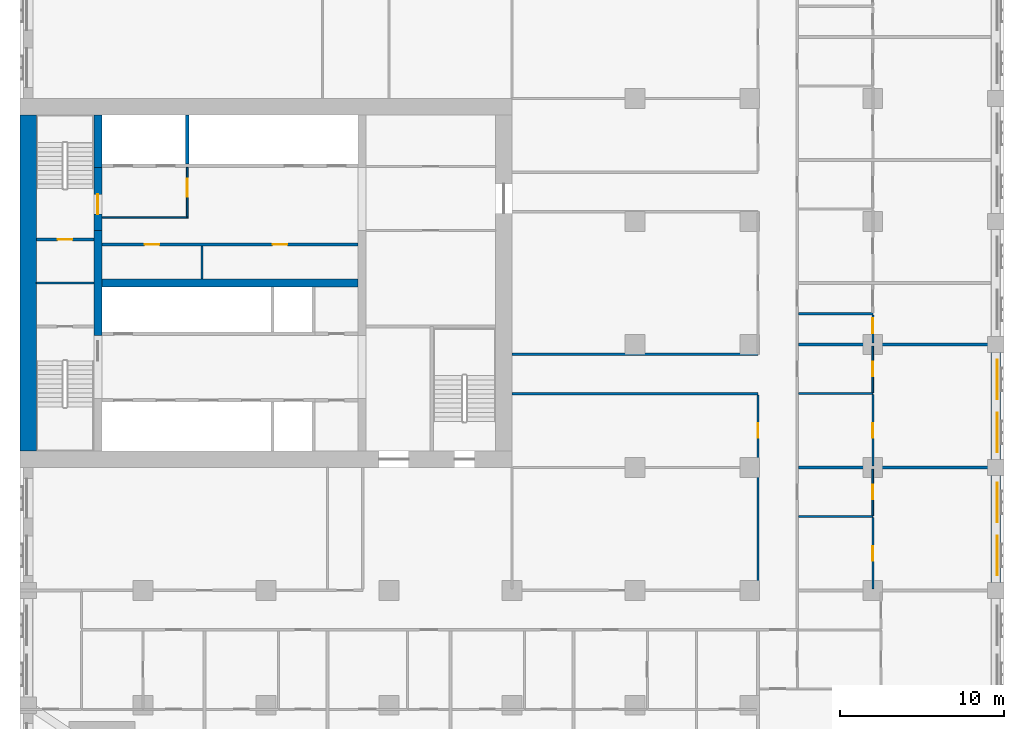
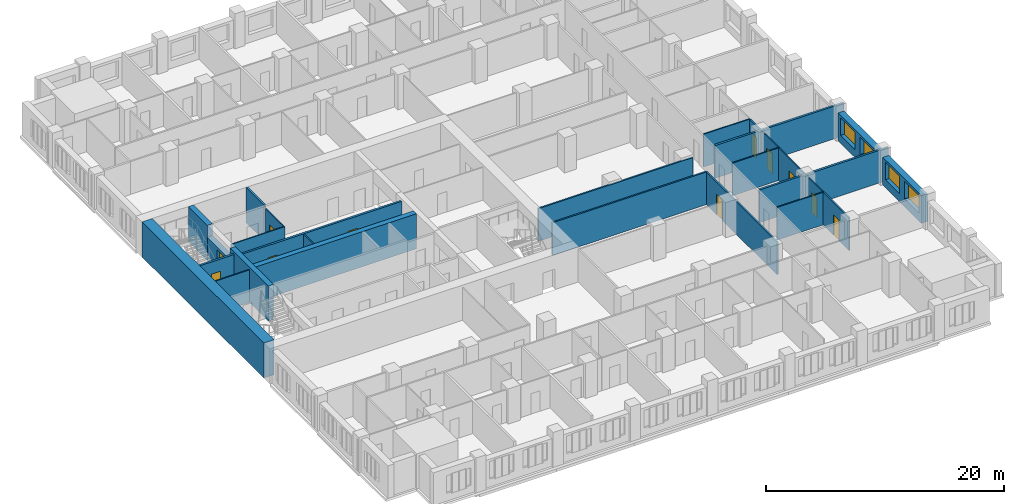
# One storey, part 7 of 14: 27 walls, 11 doors, 4 windows, 15 openings.
"""IFC4 building model written with IfcOpenShell, lengths in metres."""

from ifc_helpers import new_model, si_unit, direction, frame, frame_2d, origin, place, context, subcontext, project, spatial, rectangle, extrude, material, layer, layer_set, type_object, element, fill, save


model = new_model("IFC4")

# Units and contexts
model_context = context("Model", 3, precision=1e-05, world=origin(), true_north=direction((0.0, 1.0)))
body_context = subcontext(model_context, "Body", "Model", "MODEL_VIEW")
ifc_project = project(units=[si_unit("LENGTHUNIT", "METRE"), si_unit("AREAUNIT", "SQUARE_METRE"), si_unit("VOLUMEUNIT", "CUBIC_METRE"), si_unit("PLANEANGLEUNIT", "RADIAN"), si_unit("MASSUNIT", "GRAM", prefix="KILO")], contexts=[model_context])

# Site, building, storey
site_placement = place(None, origin())
site = spatial("IfcSite", under=ifc_project, at=site_placement, CompositionType="ELEMENT")
building_placement = place(site_placement, origin())
building = spatial("IfcBuilding", under=site, at=building_placement, Name="Tamorin Gate", CompositionType="ELEMENT")
storey_placement = place(building_placement, frame((0.0, 0.0, 52.0)))
storey = spatial("IfcBuildingStorey", under=building, at=storey_placement, Name="L11", CompositionType="ELEMENT", Elevation=52.0)

# Wall, openings, windows
ifc_material_1 = material(Name="Precast concrete C40/50", Category="concrete")
ifc_layer_1 = layer(ifc_material_1, 0.60009765625)
ifc_layer_set_1 = layer_set([ifc_layer_1], Name="Precast concrete C40/50")
wall_type_1 = type_object("IfcWallType", Name="Board-marked concrete facade panel 600", PredefinedType="SOLIDWALL", material=ifc_layer_set_1)
wall_1_placement = place(storey_placement, frame((89.5, 53.0, 0.0), z_axis=(0.0, 0.0, 1.0), x_axis=(0.0, 1.0, 0.0)))
wall_1 = element("IfcWall", 1, at=wall_1_placement, inside=storey, type_object=wall_type_1, Name="Facade panel", PredefinedType="SOLIDWALL", context=body_context, shape_type="SweptSolid", body=[
    extrude(rectangle(XDim=6.5, YDim=0.60009765625, at=frame_2d((3.25, 0.0))), origin(), (0.0, 0.0, 1.0), 2.85009765625),
])
opening_1_placement = place(wall_1_placement, frame((0.425048828125, 0.0, 0.800048828125)))
opening_1 = element("IfcOpeningElement", 2, at=opening_1_placement, cuts=wall_1, Name="Opening WN1", PredefinedType="OPENING", context=body_context, shape_type="SweptSolid", body=[
    extrude(rectangle(XDim=2.39990234375, YDim=1.800048828125, at=frame_2d((1.199951171875, 0.89990234375))), frame((0.0, 0.31005859375, 0.0), z_axis=(0.0, -1.0, 0.0), x_axis=(1.0, 0.0, 0.0)), (0.0, 0.0, 1.0), 0.6201171875),
])
opening_2_placement = place(wall_1_placement, frame((3.675048828125, 0.0, 0.800048828125)))
opening_2 = element("IfcOpeningElement", 3, at=opening_2_placement, cuts=wall_1, Name="Opening WN1", PredefinedType="OPENING", context=body_context, shape_type="SweptSolid", body=[
    extrude(rectangle(XDim=2.39990234375, YDim=1.800048828125, at=frame_2d((1.199951171875, 0.89990234375))), frame((0.0, 0.31005859375, 0.0), z_axis=(0.0, -1.0, 0.0), x_axis=(1.0, 0.0, 0.0)), (0.0, 0.0, 1.0), 0.6201171875),
])
ifc_material_2 = material(Name="Clear glass in aluminium frame", Category="aluminium")
window_type = type_object("IfcWindowType", Name="Deep-set window 2400x1800", PartitioningType="SINGLE_PANEL", PredefinedType="WINDOW", material=ifc_material_2)
window_1_placement = place(opening_1_placement, origin())
window_1 = element("IfcWindow", 4, at=window_1_placement, inside=storey, type_object=window_type, Name="Deep-set window", OverallHeight=1.800048828125, OverallWidth=2.39990234375, PartitioningType="SINGLE_PANEL", PredefinedType="WINDOW", context=body_context, shape_type="SweptSolid", body=[
    extrude(rectangle(XDim=2.39990234375, YDim=1.800048828125, at=frame_2d((1.199951171875, 0.89990234375))), frame((0.0, -0.070068359375, 0.0), z_axis=(0.0, -1.0, 0.0), x_axis=(1.0, 0.0, 0.0)), (0.0, 0.0, 1.0), 0.06005859375),
])
fill(opening_1, window_1)
window_2_placement = place(opening_2_placement, origin())
window_2 = element("IfcWindow", 5, at=window_2_placement, inside=storey, type_object=window_type, Name="Deep-set window", OverallHeight=1.800048828125, OverallWidth=2.39990234375, PartitioningType="SINGLE_PANEL", PredefinedType="WINDOW", context=body_context, shape_type="SweptSolid", body=[
    extrude(rectangle(XDim=2.39990234375, YDim=1.800048828125, at=frame_2d((1.199951171875, 0.89990234375))), frame((0.0, -0.070068359375, 0.0), z_axis=(0.0, -1.0, 0.0), x_axis=(1.0, 0.0, 0.0)), (0.0, 0.0, 1.0), 0.06005859375),
])
fill(opening_2, window_2)

wall_2_placement = place(storey_placement, frame((89.5, 60.5, 0.0), z_axis=(0.0, 0.0, 1.0), x_axis=(0.0, 1.0, 0.0)))
wall_2 = element("IfcWall", 6, at=wall_2_placement, inside=storey, type_object=wall_type_1, Name="Facade panel", PredefinedType="SOLIDWALL", context=body_context, shape_type="SweptSolid", body=[
    extrude(rectangle(XDim=6.5, YDim=0.60009765625, at=frame_2d((3.25, 0.0))), origin(), (0.0, 0.0, 1.0), 2.85009765625),
])
opening_3_placement = place(wall_2_placement, frame((0.425048828125, 0.0, 0.800048828125)))
opening_3 = element("IfcOpeningElement", 7, at=opening_3_placement, cuts=wall_2, Name="Opening WN1", PredefinedType="OPENING", context=body_context, shape_type="SweptSolid", body=[
    extrude(rectangle(XDim=2.39990234375, YDim=1.800048828125, at=frame_2d((1.199951171875, 0.89990234375))), frame((0.0, 0.31005859375, 0.0), z_axis=(0.0, -1.0, 0.0), x_axis=(1.0, 0.0, 0.0)), (0.0, 0.0, 1.0), 0.6201171875),
])
opening_4_placement = place(wall_2_placement, frame((3.675048828125, 0.0, 0.800048828125)))
opening_4 = element("IfcOpeningElement", 8, at=opening_4_placement, cuts=wall_2, Name="Opening WN1", PredefinedType="OPENING", context=body_context, shape_type="SweptSolid", body=[
    extrude(rectangle(XDim=2.39990234375, YDim=1.800048828125, at=frame_2d((1.199951171875, 0.89990234375))), frame((0.0, 0.31005859375, 0.0), z_axis=(0.0, -1.0, 0.0), x_axis=(1.0, 0.0, 0.0)), (0.0, 0.0, 1.0), 0.6201171875),
])
window_3_placement = place(opening_3_placement, origin())
window_3 = element("IfcWindow", 9, at=window_3_placement, inside=storey, type_object=window_type, Name="Deep-set window", OverallHeight=1.800048828125, OverallWidth=2.39990234375, PartitioningType="SINGLE_PANEL", PredefinedType="WINDOW", context=body_context, shape_type="SweptSolid", body=[
    extrude(rectangle(XDim=2.39990234375, YDim=1.800048828125, at=frame_2d((1.199951171875, 0.89990234375))), frame((0.0, -0.070068359375, 0.0), z_axis=(0.0, -1.0, 0.0), x_axis=(1.0, 0.0, 0.0)), (0.0, 0.0, 1.0), 0.06005859375),
])
fill(opening_3, window_3)
window_4_placement = place(opening_4_placement, origin())
window_4 = element("IfcWindow", 10, at=window_4_placement, inside=storey, type_object=window_type, Name="Deep-set window", OverallHeight=1.800048828125, OverallWidth=2.39990234375, PartitioningType="SINGLE_PANEL", PredefinedType="WINDOW", context=body_context, shape_type="SweptSolid", body=[
    extrude(rectangle(XDim=2.39990234375, YDim=1.800048828125, at=frame_2d((1.199951171875, 0.89990234375))), frame((0.0, -0.070068359375, 0.0), z_axis=(0.0, -1.0, 0.0), x_axis=(1.0, 0.0, 0.0)), (0.0, 0.0, 1.0), 0.06005859375),
])
fill(opening_4, window_4)

# Wall, opening, door
ifc_material_3 = material(Name="Gypsum board partition")
ifc_layer_2 = layer(ifc_material_3, 0.14990234375)
ifc_layer_set_2 = layer_set([ifc_layer_2], Name="Corridor wall 150")
wall_type_2 = type_object("IfcWallType", Name="Corridor wall 150", PredefinedType="PARTITIONING", material=ifc_layer_set_2)
wall_3_placement = place(storey_placement, frame((75.0, 52.574951171875, 0.0), z_axis=(0.0, 0.0, 1.0), x_axis=(0.0, 1.0, 0.0)))
wall_3 = element("IfcWall", 11, at=wall_3_placement, inside=storey, type_object=wall_type_2, Name="Corridor wall 150", PredefinedType="PARTITIONING", context=body_context, shape_type="SweptSolid", body=[
    extrude(rectangle(XDim=11.85009765625, YDim=0.14990234375, at=frame_2d((5.925048828125, 0.0))), origin(), (0.0, 0.0, 1.0), 3.35009765625),
])
opening_5_placement = place(wall_3_placement, frame((9.22509765625, 0.0, 0.0)))
opening_5 = element("IfcOpeningElement", 12, at=opening_5_placement, cuts=wall_3, Name="Opening DH2074", PredefinedType="OPENING", context=body_context, shape_type="SweptSolid", body=[
    extrude(rectangle(XDim=0.89990234375, YDim=2.10009765625, at=frame_2d((0.449951171875, 1.050048828125))), frame((0.0, 0.0849609375, 0.0), z_axis=(0.0, -1.0, 0.0), x_axis=(1.0, 0.0, 0.0)), (0.0, 0.0, 1.0), 0.169921875),
])
ifc_material_4 = material(Name="Timber door leaf", Category="wood")
door_type_1 = type_object("IfcDoorType", Name="Door 900 x 2100 FD30S", OperationType="NOTDEFINED", PredefinedType="DOOR", material=ifc_material_4)
door_1_placement = place(opening_5_placement, origin())
door_1 = element("IfcDoor", 13, at=door_1_placement, inside=storey, type_object=door_type_1, Name="Door DH2074", OperationType="SINGLE_SWING_LEFT", OverallHeight=2.10009765625, OverallWidth=0.89990234375, PredefinedType="DOOR", context=body_context, shape_type="SweptSolid", body=[
    extrude(rectangle(XDim=0.89990234375, YDim=2.10009765625, at=frame_2d((0.449951171875, 1.050048828125))), frame((0.0, 0.02490234375, 0.0), z_axis=(0.0, -1.0, 0.0), x_axis=(1.0, 0.0, 0.0)), (0.0, 0.0, 1.0), 0.050048828125),
])
fill(opening_5, door_1)

# Walls
ifc_layer_3 = layer(ifc_material_3, 0.199951171875)
ifc_layer_set_3 = layer_set([ifc_layer_3], Name="Demising wall 200")
wall_type_3 = type_object("IfcWallType", Name="Demising wall 200", PredefinedType="PARTITIONING", material=ifc_layer_set_3)
for number, where, z_axis, x_axis, name in (
    (14, (77.47509765625, 60.0, 0.0), (0.0, 0.0, 1.0), (1.0, 0.0, 0.0), "Demising wall 200"),
    (15, (77.47509765625, 67.5, 0.0), (0.0, 0.0, 1.0), (1.0, 0.0, 0.0), "Demising wall 200"),
):
    element("IfcWall", number, at=place(storey_placement, frame(where, z_axis=z_axis, x_axis=x_axis)), inside=storey, type_object=wall_type_3, Name=name, PredefinedType="PARTITIONING", context=body_context, shape_type="SweptSolid", body=[
        extrude(rectangle(XDim=12.52490234375, YDim=0.199951171875, at=frame_2d((6.262451171875, 0.0))), origin(), (0.0, 0.0, 1.0), 3.35009765625),
    ])
ifc_material_5 = material(Name="Concrete C32/40", Category="concrete")
ifc_layer_4 = layer(ifc_material_5, 0.199951171875)
ifc_layer_set_4 = layer_set([ifc_layer_4], Name="Lift shaft wall 200 EI 120")
wall_type_4 = type_object("IfcWallType", Name="Lift shaft wall 200 EI 120", PredefinedType="SOLIDWALL", material=ifc_layer_set_4)
wall_4_placement = place(storey_placement, frame((40.199951171875, 78.5, 0.0), z_axis=(0.0, 0.0, 1.0), x_axis=(0.0, 1.0, 0.0)))
element("IfcWall", 16, at=wall_4_placement, inside=storey, type_object=wall_type_4, Name="Lift shaft wall", PredefinedType="SOLIDWALL", context=body_context, shape_type="SweptSolid", body=[
    extrude(rectangle(XDim=3.0, YDim=0.199951171875, at=frame_2d((1.5, 0.0))), origin(), (0.0, 0.0, 1.0), 3.60009765625),
])
ifc_material_6 = material(Name="Fire-rated gypsum board partition")
ifc_layer_5 = layer(ifc_material_6, 0.10009765625)
ifc_layer_set_5 = layer_set([ifc_layer_5], Name="Lobby wall 100 EI 60")
wall_type_5 = type_object("IfcWallType", Name="Lobby wall 100 EI 60", PredefinedType="PARTITIONING", material=ifc_layer_set_5)
wall_5_placement = place(storey_placement, frame((35.0, 75.25, 0.0), z_axis=(0.0, 0.0, 1.0), x_axis=(1.0, 0.0, 0.0)))
element("IfcWall", 17, at=wall_5_placement, inside=storey, type_object=wall_type_5, Name="Firefighting lobby wall", PredefinedType="PARTITIONING", context=body_context, shape_type="SweptSolid", body=[
    extrude(rectangle(XDim=5.25, YDim=0.10009765625, at=frame_2d((2.625, 0.0))), origin(), (0.0, 0.0, 1.0), 3.35009765625),
])

# Wall, opening, door
wall_6_placement = place(storey_placement, frame((40.199951171875, 75.300048828125, 0.0), z_axis=(0.0, 0.0, 1.0), x_axis=(0.0, 1.0, 0.0)))
wall_6 = element("IfcWall", 18, at=wall_6_placement, inside=storey, type_object=wall_type_5, Name="Firefighting lobby wall", PredefinedType="PARTITIONING", context=body_context, shape_type="SweptSolid", body=[
    extrude(rectangle(XDim=3.0, YDim=0.10009765625, at=frame_2d((1.5, 0.0))), origin(), (0.0, 0.0, 1.0), 3.35009765625),
])
opening_6_placement = place(wall_6_placement, frame((1.199951171875, 0.0, 0.0)))
opening_6 = element("IfcOpeningElement", 19, at=opening_6_placement, cuts=wall_6, Name="Opening DF1", PredefinedType="OPENING", context=body_context, shape_type="SweptSolid", body=[
    extrude(rectangle(XDim=1.10009765625, YDim=2.10009765625, at=frame_2d((0.550048828125, 1.050048828125))), frame((0.0, 0.06005859375, 0.0), z_axis=(0.0, -1.0, 0.0), x_axis=(1.0, 0.0, 0.0)), (0.0, 0.0, 1.0), 0.1201171875),
])
ifc_material_7 = material(Name="Steel fire door", Category="steel")
door_type_2 = type_object("IfcDoorType", Name="Firefighting lobby door 1100 x 2100 EI 90", OperationType="SINGLE_SWING_LEFT", PredefinedType="DOOR", material=ifc_material_7)
door_2_placement = place(opening_6_placement, origin())
door_2 = element("IfcDoor", 20, at=door_2_placement, inside=storey, type_object=door_type_2, Name="Firefighting lobby door", OperationType="SINGLE_SWING_LEFT", OverallHeight=2.10009765625, OverallWidth=1.10009765625, PredefinedType="DOOR", context=body_context, shape_type="SweptSolid", body=[
    extrude(rectangle(XDim=1.10009765625, YDim=2.10009765625, at=frame_2d((0.550048828125, 1.050048828125))), frame((0.0, 0.02490234375, 0.0), z_axis=(0.0, -1.0, 0.0), x_axis=(1.0, 0.0, 0.0)), (0.0, 0.0, 1.0), 0.050048828125),
])
fill(opening_6, door_2)

# Walls
ifc_layer_6 = layer(ifc_material_3, 0.14990234375)
ifc_layer_set_6 = layer_set([ifc_layer_6], Name="Lobby wall 150")
wall_type_6 = type_object("IfcWallType", Name="Lobby wall 150", PredefinedType="PARTITIONING", material=ifc_layer_set_6)
for number, where, z_axis, x_axis, name in (
    (21, (60.0, 64.5, 0.0), (0.0, 0.0, 1.0), (1.0, 0.0, 0.0), "Lobby wall 150"),
    (22, (60.0, 66.89990234375, 0.0), (0.0, 0.0, 1.0), (1.0, 0.0, 0.0), "Lobby wall 150"),
):
    element("IfcWall", number, at=place(storey_placement, frame(where, z_axis=z_axis, x_axis=x_axis)), inside=storey, type_object=wall_type_6, Name=name, PredefinedType="PARTITIONING", context=body_context, shape_type="SweptSolid", body=[
        extrude(rectangle(XDim=15.0, YDim=0.14990234375, at=frame_2d((7.5, 0.0))), origin(), (0.0, 0.0, 1.0), 3.35009765625),
    ])
ifc_material_8 = material(Name="Concrete C80/95", Category="concrete")
ifc_layer_7 = layer(ifc_material_8, 0.5)
ifc_layer_set_7 = layer_set([ifc_layer_7], Name="RC core internal wall 500 C80/95")
wall_type_7 = type_object("IfcWallType", Name="RC core internal wall 500 C80/95", PredefinedType="SHEAR", material=ifc_layer_set_7)
wall_7_placement = place(storey_placement, frame((35.0, 71.25, 0.0), z_axis=(0.0, 0.0, 1.0), x_axis=(1.0, 0.0, 0.0)))
element("IfcWall", 23, at=wall_7_placement, inside=storey, type_object=wall_type_7, Name="Core spine wall L11", PredefinedType="SHEAR", context=body_context, shape_type="SweptSolid", body=[
    extrude(rectangle(XDim=15.60009765625, YDim=0.5, at=frame_2d((7.800048828125, 0.0))), origin(), (0.0, 0.0, 1.0), 3.60009765625),
])
wall_8_placement = place(storey_placement, frame((34.75, 68.050048828125, 0.0), z_axis=(0.0, 0.0, 1.0), x_axis=(0.0, 1.0, 0.0)))
element("IfcWall", 24, at=wall_8_placement, inside=storey, type_object=wall_type_7, Name="Core cross wall L11", PredefinedType="SHEAR", context=body_context, shape_type="SweptSolid", body=[
    extrude(rectangle(XDim=6.39990234375, YDim=0.5, at=frame_2d((3.199951171875, 0.0))), origin(), (0.0, 0.0, 1.0), 3.60009765625),
])
wall_9_placement = place(storey_placement, frame((34.75, 78.300048828125, 0.0), z_axis=(0.0, 0.0, 1.0), x_axis=(0.0, 1.0, 0.0)))
element("IfcWall", 25, at=wall_9_placement, inside=storey, type_object=wall_type_7, Name="Core cross wall L11", PredefinedType="SHEAR", context=body_context, shape_type="SweptSolid", body=[
    extrude(rectangle(XDim=3.199951171875, YDim=0.5, at=frame_2d((1.60009765625, 0.0))), origin(), (0.0, 0.0, 1.0), 3.60009765625),
])
ifc_layer_8 = layer(ifc_material_8, 1.0)
ifc_layer_set_8 = layer_set([ifc_layer_8], Name="RC core wall 1000 C80/95")
wall_type_8 = type_object("IfcWallType", Name="RC core wall 1000 C80/95", PredefinedType="SHEAR", material=ifc_layer_set_8)
wall_10_placement = place(storey_placement, frame((30.5, 61.0, 0.0), z_axis=(0.0, 0.0, 1.0), x_axis=(0.0, 1.0, 0.0)))
element("IfcWall", 26, at=wall_10_placement, inside=storey, type_object=wall_type_8, Name="Core wall L11", PredefinedType="SHEAR", context=body_context, shape_type="SweptSolid", body=[
    extrude(rectangle(XDim=20.5, YDim=1.0, at=frame_2d((10.25, 0.0))), origin(), (0.0, 0.0, 1.0), 3.60009765625),
])
ifc_layer_9 = layer(ifc_material_6, 0.10009765625)
ifc_layer_set_9 = layer_set([ifc_layer_9], Name="Riser partition 100 EI 120")
wall_type_9 = type_object("IfcWallType", Name="Riser partition 100 EI 120", PredefinedType="PARTITIONING", material=ifc_layer_set_9)
wall_11_placement = place(storey_placement, frame((31.0, 71.25, 0.0), z_axis=(0.0, 0.0, 1.0), x_axis=(1.0, 0.0, 0.0)))
element("IfcWall", 27, at=wall_11_placement, inside=storey, type_object=wall_type_9, Name="Riser partition", PredefinedType="PARTITIONING", context=body_context, shape_type="SweptSolid", body=[
    extrude(rectangle(XDim=3.5, YDim=0.10009765625, at=frame_2d((1.75, 0.0))), origin(), (0.0, 0.0, 1.0), 3.35009765625),
])

# Wall, opening, door
ifc_layer_10 = layer(ifc_material_3, 0.10009765625)
ifc_layer_set_10 = layer_set([ifc_layer_10], Name="Room partition 100")
wall_type_10 = type_object("IfcWallType", Name="Room partition 100", PredefinedType="PARTITIONING", material=ifc_layer_set_10)
wall_12_placement = place(storey_placement, frame((82.0, 57.0625, 0.0), z_axis=(0.0, 0.0, 1.0), x_axis=(0.0, 1.0, 0.0)))
wall_12 = element("IfcWall", 28, at=wall_12_placement, inside=storey, type_object=wall_type_10, Name="Room partition 100", PredefinedType="PARTITIONING", context=body_context, shape_type="SweptSolid", body=[
    extrude(rectangle(XDim=2.83740234375, YDim=0.10009765625, at=frame_2d((1.418701171875, 0.0))), origin(), (0.0, 0.0, 1.0), 3.35009765625),
])
opening_7_placement = place(wall_12_placement, frame((0.987548828125, 0.0, 0.0)))
opening_7 = element("IfcOpeningElement", 29, at=opening_7_placement, cuts=wall_12, Name="Opening DH2039", PredefinedType="OPENING", context=body_context, shape_type="SweptSolid", body=[
    extrude(rectangle(XDim=0.89990234375, YDim=2.10009765625, at=frame_2d((0.449951171875, 1.050048828125))), frame((0.0, 0.06005859375, 0.0), z_axis=(0.0, -1.0, 0.0), x_axis=(1.0, 0.0, 0.0)), (0.0, 0.0, 1.0), 0.1201171875),
])
door_type_3 = type_object("IfcDoorType", Name="Door 900 x 2100", OperationType="NOTDEFINED", PredefinedType="DOOR", material=ifc_material_4)
door_3_placement = place(opening_7_placement, origin())
door_3 = element("IfcDoor", 30, at=door_3_placement, inside=storey, type_object=door_type_3, Name="Door DH2039", OperationType="SINGLE_SWING_LEFT", OverallHeight=2.10009765625, OverallWidth=0.89990234375, PredefinedType="DOOR", context=body_context, shape_type="SweptSolid", body=[
    extrude(rectangle(XDim=0.89990234375, YDim=2.10009765625, at=frame_2d((0.449951171875, 1.050048828125))), frame((0.0, 0.02490234375, 0.0), z_axis=(0.0, -1.0, 0.0), x_axis=(1.0, 0.0, 0.0)), (0.0, 0.0, 1.0), 0.050048828125),
])
fill(opening_7, door_3)

wall_13_placement = place(storey_placement, frame((82.0, 64.5625, 0.0), z_axis=(0.0, 0.0, 1.0), x_axis=(0.0, 1.0, 0.0)))
wall_13 = element("IfcWall", 31, at=wall_13_placement, inside=storey, type_object=wall_type_10, Name="Room partition 100", PredefinedType="PARTITIONING", context=body_context, shape_type="SweptSolid", body=[
    extrude(rectangle(XDim=2.83740234375, YDim=0.10009765625, at=frame_2d((1.418701171875, 0.0))), origin(), (0.0, 0.0, 1.0), 3.35009765625),
])
opening_8_placement = place(wall_13_placement, frame((0.987548828125, 0.0, 0.0)))
opening_8 = element("IfcOpeningElement", 32, at=opening_8_placement, cuts=wall_13, Name="Opening DH2042", PredefinedType="OPENING", context=body_context, shape_type="SweptSolid", body=[
    extrude(rectangle(XDim=0.89990234375, YDim=2.10009765625, at=frame_2d((0.449951171875, 1.050048828125))), frame((0.0, 0.06005859375, 0.0), z_axis=(0.0, -1.0, 0.0), x_axis=(1.0, 0.0, 0.0)), (0.0, 0.0, 1.0), 0.1201171875),
])
door_4_placement = place(opening_8_placement, origin())
door_4 = element("IfcDoor", 33, at=door_4_placement, inside=storey, type_object=door_type_3, Name="Door DH2042", OperationType="SINGLE_SWING_LEFT", OverallHeight=2.10009765625, OverallWidth=0.89990234375, PredefinedType="DOOR", context=body_context, shape_type="SweptSolid", body=[
    extrude(rectangle(XDim=0.89990234375, YDim=2.10009765625, at=frame_2d((0.449951171875, 1.050048828125))), frame((0.0, 0.02490234375, 0.0), z_axis=(0.0, -1.0, 0.0), x_axis=(1.0, 0.0, 0.0)), (0.0, 0.0, 1.0), 0.050048828125),
])
fill(opening_8, door_4)

# Wall, openings, doors
ifc_layer_11 = layer(ifc_material_3, 0.199951171875)
ifc_layer_set_11 = layer_set([ifc_layer_11], Name="Service room face wall 200 EI 60")
wall_type_11 = type_object("IfcWallType", Name="Service room face wall 200 EI 60", PredefinedType="PARTITIONING", material=ifc_layer_set_11)
wall_14_placement = place(storey_placement, frame((35.0, 73.60009765625, 0.0), z_axis=(0.0, 0.0, 1.0), x_axis=(1.0, 0.0, 0.0)))
wall_14 = element("IfcWall", 34, at=wall_14_placement, inside=storey, type_object=wall_type_11, Name="Service room face wall", PredefinedType="PARTITIONING", context=body_context, shape_type="SweptSolid", body=[
    extrude(rectangle(XDim=15.60009765625, YDim=0.199951171875, at=frame_2d((7.800048828125, 0.0))), origin(), (0.0, 0.0, 1.0), 3.35009765625),
])
opening_9_placement = place(wall_14_placement, frame((2.60009765625, 0.0, 0.0)))
opening_9 = element("IfcOpeningElement", 35, at=opening_9_placement, cuts=wall_14, Name="Opening DK1", PredefinedType="OPENING", context=body_context, shape_type="SweptSolid", body=[
    extrude(rectangle(XDim=0.89990234375, YDim=2.10009765625, at=frame_2d((0.449951171875, 1.050048828125))), frame((0.0, 0.10986328125, 0.0), z_axis=(0.0, -1.0, 0.0), x_axis=(1.0, 0.0, 0.0)), (0.0, 0.0, 1.0), 0.219970703125),
])
opening_10_placement = place(wall_14_placement, frame((10.39990234375, 0.0, 0.0)))
opening_10 = element("IfcOpeningElement", 36, at=opening_10_placement, cuts=wall_14, Name="Opening DK1", PredefinedType="OPENING", context=body_context, shape_type="SweptSolid", body=[
    extrude(rectangle(XDim=0.89990234375, YDim=2.10009765625, at=frame_2d((0.449951171875, 1.050048828125))), frame((0.0, 0.10986328125, 0.0), z_axis=(0.0, -1.0, 0.0), x_axis=(1.0, 0.0, 0.0)), (0.0, 0.0, 1.0), 0.219970703125),
])
ifc_material_9 = material(Name="Timber fire door", Category="wood")
door_type_4 = type_object("IfcDoorType", Name="Service room door 900 x 2100 EI 60", OperationType="SINGLE_SWING_LEFT", PredefinedType="DOOR", material=ifc_material_9)
door_5_placement = place(opening_9_placement, origin())
door_5 = element("IfcDoor", 37, at=door_5_placement, inside=storey, type_object=door_type_4, Name="Door Cleaner's store", OperationType="SINGLE_SWING_LEFT", OverallHeight=2.10009765625, OverallWidth=0.89990234375, PredefinedType="DOOR", context=body_context, shape_type="SweptSolid", body=[
    extrude(rectangle(XDim=0.89990234375, YDim=2.10009765625, at=frame_2d((0.449951171875, 1.050048828125))), frame((0.0, 0.02490234375, 0.0), z_axis=(0.0, -1.0, 0.0), x_axis=(1.0, 0.0, 0.0)), (0.0, 0.0, 1.0), 0.050048828125),
])
fill(opening_9, door_5)
door_6_placement = place(opening_10_placement, origin())
door_6 = element("IfcDoor", 38, at=door_6_placement, inside=storey, type_object=door_type_4, Name="Door Pantry", OperationType="SINGLE_SWING_RIGHT", OverallHeight=2.10009765625, OverallWidth=0.89990234375, PredefinedType="DOOR", context=body_context, shape_type="SweptSolid", body=[
    extrude(rectangle(XDim=0.89990234375, YDim=2.10009765625, at=frame_2d((0.449951171875, 1.050048828125))), frame((0.0, 0.02490234375, 0.0), z_axis=(0.0, -1.0, 0.0), x_axis=(1.0, 0.0, 0.0)), (0.0, 0.0, 1.0), 0.050048828125),
])
fill(opening_10, door_6)

# Wall
ifc_layer_12 = layer(ifc_material_3, 0.10009765625)
ifc_layer_set_12 = layer_set([ifc_layer_12], Name="Service room partition 100 EI 60")
wall_type_12 = type_object("IfcWallType", Name="Service room partition 100 EI 60", PredefinedType="PARTITIONING", material=ifc_layer_set_12)
wall_15_placement = place(storey_placement, frame((41.10009765625, 71.5, 0.0), z_axis=(0.0, 0.0, 1.0), x_axis=(0.0, 1.0, 0.0)))
element("IfcWall", 39, at=wall_15_placement, inside=storey, type_object=wall_type_12, Name="Service room partition", PredefinedType="PARTITIONING", context=body_context, shape_type="SweptSolid", body=[
    extrude(rectangle(XDim=2.0, YDim=0.10009765625, at=frame_2d((1.0, 0.0))), origin(), (0.0, 0.0, 1.0), 3.35009765625),
])

# Wall, opening, door
ifc_material_10 = material(Name="Concrete C40/50", Category="concrete")
ifc_layer_13 = layer(ifc_material_10, 0.199951171875)
ifc_layer_set_13 = layer_set([ifc_layer_13], Name="Stair enclosure wall 200 EI 120 C40/50")
wall_type_13 = type_object("IfcWallType", Name="Stair enclosure wall 200 EI 120 C40/50", PredefinedType="SOLIDWALL", material=ifc_layer_set_13)
wall_16_placement = place(storey_placement, frame((31.0, 73.89990234375, 0.0), z_axis=(0.0, 0.0, 1.0), x_axis=(1.0, 0.0, 0.0)))
wall_16 = element("IfcWall", 40, at=wall_16_placement, inside=storey, type_object=wall_type_13, Name="Stair enclosure wall", PredefinedType="SOLIDWALL", context=body_context, shape_type="SweptSolid", body=[
    extrude(rectangle(XDim=3.5, YDim=0.199951171875, at=frame_2d((1.75, 0.0))), origin(), (0.0, 0.0, 1.0), 3.35009765625),
])
opening_11_placement = place(wall_16_placement, frame((1.300048828125, 0.0, 0.0)))
opening_11 = element("IfcOpeningElement", 41, at=opening_11_placement, cuts=wall_16, Name="Opening DR1", PredefinedType="OPENING", context=body_context, shape_type="SweptSolid", body=[
    extrude(rectangle(XDim=0.89990234375, YDim=2.10009765625, at=frame_2d((0.449951171875, 1.050048828125))), frame((0.0, 0.10986328125, 0.0), z_axis=(0.0, -1.0, 0.0), x_axis=(1.0, 0.0, 0.0)), (0.0, 0.0, 1.0), 0.219970703125),
])
door_type_5 = type_object("IfcDoorType", Name="Riser access door 900 x 2100 EI 120", OperationType="SINGLE_SWING_LEFT", PredefinedType="DOOR", material=ifc_material_7)
door_7_placement = place(opening_11_placement, origin())
door_7 = element("IfcDoor", 42, at=door_7_placement, inside=storey, type_object=door_type_5, Name="Communications riser door", OperationType="SINGLE_SWING_RIGHT", OverallHeight=2.10009765625, OverallWidth=0.89990234375, PredefinedType="DOOR", context=body_context, shape_type="SweptSolid", body=[
    extrude(rectangle(XDim=0.89990234375, YDim=2.10009765625, at=frame_2d((0.449951171875, 1.050048828125))), frame((0.0, 0.02490234375, 0.0), z_axis=(0.0, -1.0, 0.0), x_axis=(1.0, 0.0, 0.0)), (0.0, 0.0, 1.0), 0.050048828125),
])
fill(opening_11, door_7)

ifc_layer_14 = layer(ifc_material_5, 0.5)
ifc_layer_set_14 = layer_set([ifc_layer_14], Name="Stair lobby infill wall 500 EI 120")
wall_type_14 = type_object("IfcWallType", Name="Stair lobby infill wall 500 EI 120", PredefinedType="SOLIDWALL", material=ifc_layer_set_14)
wall_17_placement = place(storey_placement, frame((34.75, 74.449951171875, 0.0), z_axis=(0.0, 0.0, 1.0), x_axis=(0.0, 1.0, 0.0)))
wall_17 = element("IfcWall", 43, at=wall_17_placement, inside=storey, type_object=wall_type_14, Name="Stair lobby infill wall", PredefinedType="SOLIDWALL", context=body_context, shape_type="SweptSolid", body=[
    extrude(rectangle(XDim=3.85009765625, YDim=0.5, at=frame_2d((1.925048828125, 0.0))), origin(), (0.0, 0.0, 1.0), 2.39990234375),
])
opening_12_placement = place(wall_17_placement, frame((1.0, 0.0, 0.0)))
opening_12 = element("IfcOpeningElement", 44, at=opening_12_placement, cuts=wall_17, Name="Opening DS1", PredefinedType="OPENING", context=body_context, shape_type="SweptSolid", body=[
    extrude(rectangle(XDim=1.199951171875, YDim=2.10009765625, at=frame_2d((0.60009765625, 1.050048828125))), frame((0.0, 0.260009765625, 0.0), z_axis=(0.0, -1.0, 0.0), x_axis=(1.0, 0.0, 0.0)), (0.0, 0.0, 1.0), 0.52001953125),
])
door_type_6 = type_object("IfcDoorType", Name="Stair door 1200 x 2100 EI 90", OperationType="SINGLE_SWING_LEFT", PredefinedType="DOOR", material=ifc_material_7)
door_8_placement = place(opening_12_placement, origin())
door_8 = element("IfcDoor", 45, at=door_8_placement, inside=storey, type_object=door_type_6, Name="ST2 door", OperationType="SINGLE_SWING_RIGHT", OverallHeight=2.10009765625, OverallWidth=1.199951171875, PredefinedType="DOOR", context=body_context, shape_type="SweptSolid", body=[
    extrude(rectangle(XDim=1.199951171875, YDim=2.10009765625, at=frame_2d((0.60009765625, 1.050048828125))), frame((0.0, 0.02490234375, 0.0), z_axis=(0.0, -1.0, 0.0), x_axis=(1.0, 0.0, 0.0)), (0.0, 0.0, 1.0), 0.050048828125),
])
fill(opening_12, door_8)

# Walls
ifc_layer_15 = layer(ifc_material_3, 0.125)
ifc_layer_set_15 = layer_set([ifc_layer_15], Name="Wet wall 125")
wall_type_15 = type_object("IfcWallType", Name="Wet wall 125", PredefinedType="PARTITIONING", material=ifc_layer_set_15)
for number, where, z_axis, x_axis, name in (
    (46, (77.47509765625, 57.0, 0.0), (0.0, 0.0, 1.0), (1.0, 0.0, 0.0), "Wet wall 125"),
    (47, (77.47509765625, 64.5, 0.0), (0.0, 0.0, 1.0), (1.0, 0.0, 0.0), "Wet wall 125"),
    (48, (77.47509765625, 69.375, 0.0), (0.0, 0.0, 1.0), (1.0, 0.0, 0.0), "Wet wall 125"),
):
    element("IfcWall", number, at=place(storey_placement, frame(where, z_axis=z_axis, x_axis=x_axis)), inside=storey, type_object=wall_type_15, Name=name, PredefinedType="PARTITIONING", context=body_context, shape_type="SweptSolid", body=[
        extrude(rectangle(XDim=4.52490234375, YDim=0.125, at=frame_2d((2.262451171875, 0.0))), origin(), (0.0, 0.0, 1.0), 3.35009765625),
    ])

# Wall, opening, door
wall_18_placement = place(storey_placement, frame((82.0, 52.60009765625, 0.0), z_axis=(0.0, 0.0, 1.0), x_axis=(0.0, 1.0, 0.0)))
wall_18 = element("IfcWall", 49, at=wall_18_placement, inside=storey, type_object=wall_type_15, Name="Wet wall 125", PredefinedType="PARTITIONING", context=body_context, shape_type="SweptSolid", body=[
    extrude(rectangle(XDim=4.33740234375, YDim=0.125, at=frame_2d((2.168701171875, 0.0))), origin(), (0.0, 0.0, 1.0), 3.35009765625),
])
opening_13_placement = place(wall_18_placement, frame((1.699951171875, 0.0, 0.0)))
opening_13 = element("IfcOpeningElement", 50, at=opening_13_placement, cuts=wall_18, Name="Opening DH2037", PredefinedType="OPENING", context=body_context, shape_type="SweptSolid", body=[
    extrude(rectangle(XDim=0.89990234375, YDim=2.10009765625, at=frame_2d((0.449951171875, 1.050048828125))), frame((0.0, 0.072509765625, 0.0), z_axis=(0.0, -1.0, 0.0), x_axis=(1.0, 0.0, 0.0)), (0.0, 0.0, 1.0), 0.14501953125),
])
door_9_placement = place(opening_13_placement, origin())
door_9 = element("IfcDoor", 51, at=door_9_placement, inside=storey, type_object=door_type_3, Name="Door DH2037", OperationType="SINGLE_SWING_LEFT", OverallHeight=2.10009765625, OverallWidth=0.89990234375, PredefinedType="DOOR", context=body_context, shape_type="SweptSolid", body=[
    extrude(rectangle(XDim=0.89990234375, YDim=2.10009765625, at=frame_2d((0.449951171875, 1.050048828125))), frame((0.0, 0.02490234375, 0.0), z_axis=(0.0, -1.0, 0.0), x_axis=(1.0, 0.0, 0.0)), (0.0, 0.0, 1.0), 0.050048828125),
])
fill(opening_13, door_9)

wall_19_placement = place(storey_placement, frame((82.0, 60.10009765625, 0.0), z_axis=(0.0, 0.0, 1.0), x_axis=(0.0, 1.0, 0.0)))
wall_19 = element("IfcWall", 52, at=wall_19_placement, inside=storey, type_object=wall_type_15, Name="Wet wall 125", PredefinedType="PARTITIONING", context=body_context, shape_type="SweptSolid", body=[
    extrude(rectangle(XDim=4.33740234375, YDim=0.125, at=frame_2d((2.168701171875, 0.0))), origin(), (0.0, 0.0, 1.0), 3.35009765625),
])
opening_14_placement = place(wall_19_placement, frame((1.699951171875, 0.0, 0.0)))
opening_14 = element("IfcOpeningElement", 53, at=opening_14_placement, cuts=wall_19, Name="Opening DH2040", PredefinedType="OPENING", context=body_context, shape_type="SweptSolid", body=[
    extrude(rectangle(XDim=0.89990234375, YDim=2.10009765625, at=frame_2d((0.449951171875, 1.050048828125))), frame((0.0, 0.072509765625, 0.0), z_axis=(0.0, -1.0, 0.0), x_axis=(1.0, 0.0, 0.0)), (0.0, 0.0, 1.0), 0.14501953125),
])
door_10_placement = place(opening_14_placement, origin())
door_10 = element("IfcDoor", 54, at=door_10_placement, inside=storey, type_object=door_type_3, Name="Door DH2040", OperationType="SINGLE_SWING_LEFT", OverallHeight=2.10009765625, OverallWidth=0.89990234375, PredefinedType="DOOR", context=body_context, shape_type="SweptSolid", body=[
    extrude(rectangle(XDim=0.89990234375, YDim=2.10009765625, at=frame_2d((0.449951171875, 1.050048828125))), frame((0.0, 0.02490234375, 0.0), z_axis=(0.0, -1.0, 0.0), x_axis=(1.0, 0.0, 0.0)), (0.0, 0.0, 1.0), 0.050048828125),
])
fill(opening_14, door_10)

wall_20_placement = place(storey_placement, frame((82.0, 67.60009765625, 0.0), z_axis=(0.0, 0.0, 1.0), x_axis=(0.0, 1.0, 0.0)))
wall_20 = element("IfcWall", 55, at=wall_20_placement, inside=storey, type_object=wall_type_15, Name="Wet wall 125", PredefinedType="PARTITIONING", context=body_context, shape_type="SweptSolid", body=[
    extrude(rectangle(XDim=1.71240234375, YDim=0.125, at=frame_2d((0.856201171875, 0.0))), origin(), (0.0, 0.0, 1.0), 3.35009765625),
])
opening_15_placement = place(wall_20_placement, frame((0.58740234375, 0.0, 0.0)))
opening_15 = element("IfcOpeningElement", 56, at=opening_15_placement, cuts=wall_20, Name="Opening DH2043", PredefinedType="OPENING", context=body_context, shape_type="SweptSolid", body=[
    extrude(rectangle(XDim=0.89990234375, YDim=2.10009765625, at=frame_2d((0.449951171875, 1.050048828125))), frame((0.0, 0.072509765625, 0.0), z_axis=(0.0, -1.0, 0.0), x_axis=(1.0, 0.0, 0.0)), (0.0, 0.0, 1.0), 0.14501953125),
])
door_11_placement = place(opening_15_placement, origin())
door_11 = element("IfcDoor", 57, at=door_11_placement, inside=storey, type_object=door_type_3, Name="Door DH2043", OperationType="SINGLE_SWING_RIGHT", OverallHeight=2.10009765625, OverallWidth=0.89990234375, PredefinedType="DOOR", context=body_context, shape_type="SweptSolid", body=[
    extrude(rectangle(XDim=0.89990234375, YDim=2.10009765625, at=frame_2d((0.449951171875, 1.050048828125))), frame((0.0, 0.02490234375, 0.0), z_axis=(0.0, -1.0, 0.0), x_axis=(1.0, 0.0, 0.0)), (0.0, 0.0, 1.0), 0.050048828125),
])
fill(opening_15, door_11)

save(model, "model.ifc")
